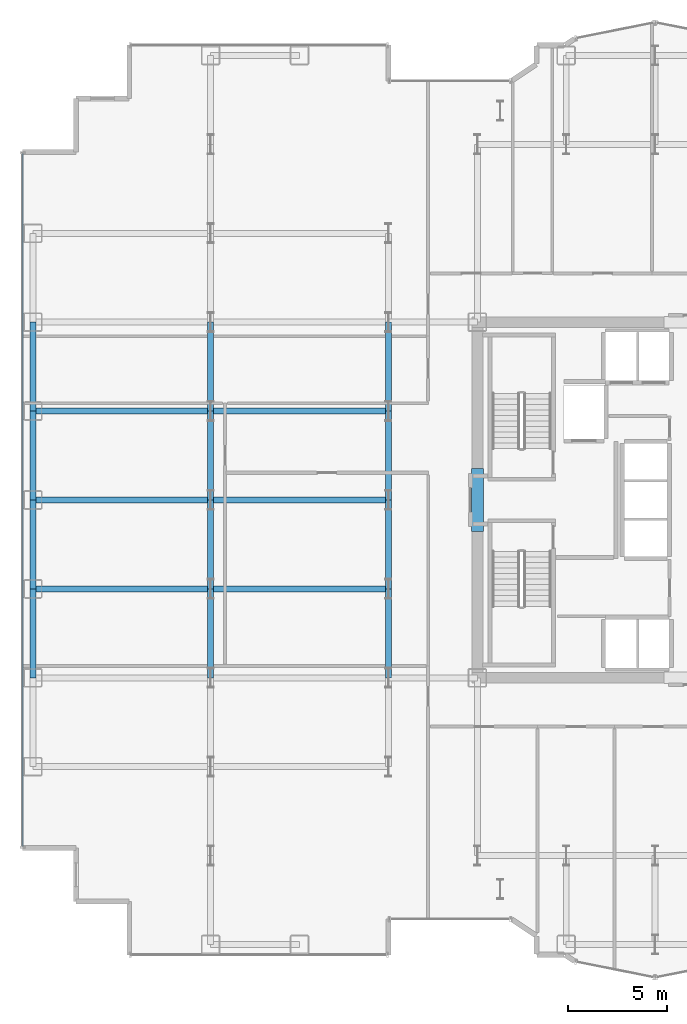
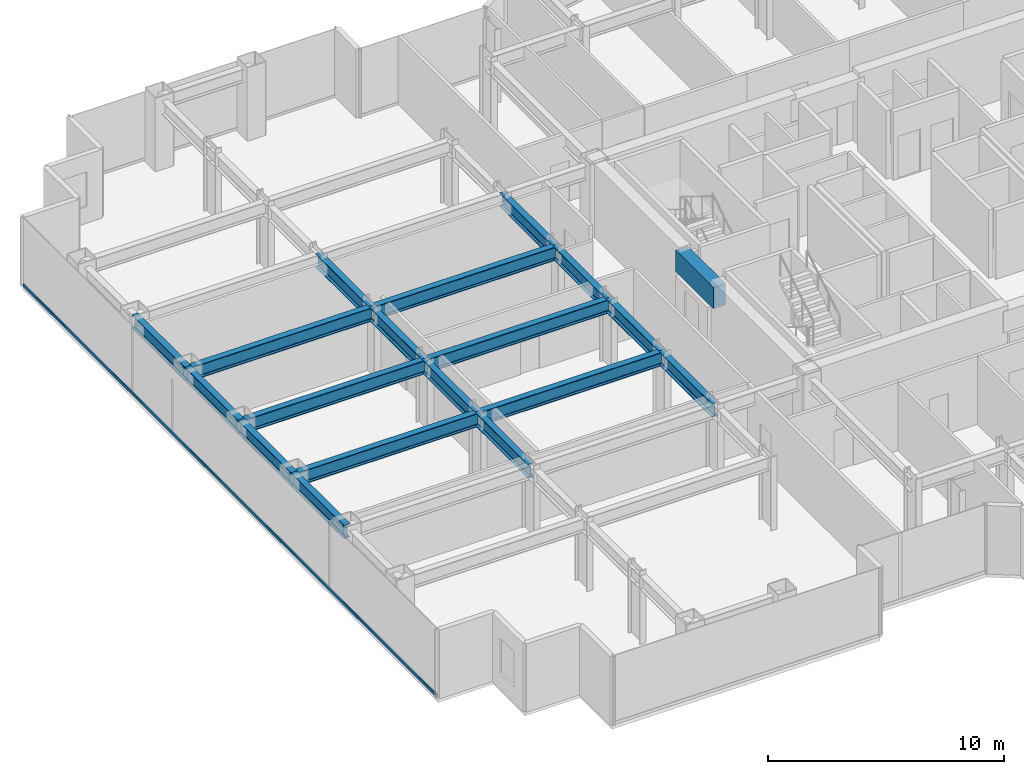
# One storey, part 5 of 25: 19 beams, 1 member, 1 element without a shape of its own.
"""IFC4 building model written with IfcOpenShell, lengths in metres."""

from ifc_helpers import new_model, si_unit, direction, frame, origin, origin_2d, place, context, subcontext, project, spatial, rectangle, hollow_rectangle, i_section, extrude, source, transform, mapped, material, layer, layer_set, material_profile, profile_set, type_object, element, aggregate, save


model = new_model("IFC4")

# Units and contexts
model_context = context("Model", 3, precision=1e-05, world=origin(), true_north=direction((0.0, 1.0)))
body_context = subcontext(model_context, "Body", "Model", "MODEL_VIEW")
ifc_project = project(units=[si_unit("LENGTHUNIT", "METRE"), si_unit("AREAUNIT", "SQUARE_METRE"), si_unit("VOLUMEUNIT", "CUBIC_METRE"), si_unit("PLANEANGLEUNIT", "RADIAN"), si_unit("MASSUNIT", "GRAM", prefix="KILO")], contexts=[model_context])

# Site, building, storey
site_placement = place(None, origin())
site = spatial("IfcSite", under=ifc_project, at=site_placement, CompositionType="ELEMENT")
building_placement = place(site_placement, origin())
building = spatial("IfcBuilding", under=site, at=building_placement, Name="Nefas-Gora Pilgrimage Tower", CompositionType="ELEMENT")
storey_placement = place(building_placement, frame((0.0, 0.0, 98.39990234375)))
storey = spatial("IfcBuildingStorey", under=building, at=storey_placement, Name="L23", CompositionType="ELEMENT", Elevation=98.39990234375)

# Beams
ifc_material_1 = material(Name="Concrete C60/75", Category="concrete")
ifc_material_profile_1 = material_profile(ifc_material_1, rectangle(XDim=0.60009765625, YDim=1.10009765625, at=origin_2d()), Name="RC 600x1100")
ifc_profile_set_1 = profile_set([ifc_material_profile_1], Name="Concrete C60/75")
beam_type_1 = type_object("IfcBeamType", Name="BM-LIN-RC1100", PredefinedType="LINTEL", material=ifc_profile_set_1)
shared_shape_1 = source(origin(), body_context, "Body", "SweptSolid", [
    extrude(rectangle(XDim=0.60009765625, YDim=1.10009765625, at=origin_2d()), origin(), (0.0, 0.0, 1.0), 3.2001953125),
])
beam_placement = place(storey_placement, frame((-11.25, -1.60009765625, 3.0), z_axis=(0.0, 1.0, 0.0), x_axis=(-1.0, 0.0, 0.0)))
element("IfcBeam", 1, at=beam_placement, inside=storey, type_object=beam_type_1, Name="L23 Core Coupling Lintel Beam W", PredefinedType="LINTEL", context=body_context, shape_type="MappedRepresentation", body=[
    mapped(shared_shape_1, transform((0.0, 0.0, 0.0), x_axis=(1.0, 0.0, 0.0), y_axis=(0.0, 1.0, 0.0), z_axis=(0.0, 0.0, 1.0), scale=1.0)),
])
ifc_material_2 = material(Name="Steel S355", Category="steel")
ifc_material_profile_2 = material_profile(ifc_material_2, i_section(OverallWidth=0.300048828125, OverallDepth=0.699951171875, WebThickness=0.01708984375, FlangeThickness=0.031982421875, FilletRadius=0.027099609375, at=origin_2d()), Name="HEB 700")
ifc_profile_set_2 = profile_set([ifc_material_profile_2], Name="Steel S355")
beam_type_2 = type_object("IfcBeamType", Name="BM-SPN-HEB600", PredefinedType="SPANDREL", material=ifc_profile_set_2)
shared_shape_2 = source(origin(), body_context, "Body", "SweptSolid", [
    extrude(i_section(OverallWidth=0.300048828125, OverallDepth=0.699951171875, WebThickness=0.01708984375, FlangeThickness=0.031982421875, FilletRadius=0.027099609375, at=origin_2d()), origin(), (0.0, 0.0, 1.0), 4.5),
])
for number, where, z_axis, x_axis, name in (
    (2, (-33.75, -9.0, 3.2001953125), (0.0, 1.0, 0.0), (-1.0, 0.0, 0.0), "L23 SP-01 beam"),
    (3, (-33.75, -4.5, 3.2001953125), (0.0, 1.0, 0.0), (-1.0, 0.0, 0.0), "L23 SP-01 beam"),
    (4, (-33.75, 0.0, 3.2001953125), (0.0, 1.0, 0.0), (-1.0, 0.0, 0.0), "L23 SP-01 beam"),
    (5, (-33.75, 4.5, 3.2001953125), (0.0, 1.0, 0.0), (-1.0, 0.0, 0.0), "L23 SP-01 beam"),
):
    element("IfcBeam", number, at=place(storey_placement, frame(where, z_axis=z_axis, x_axis=x_axis)), inside=storey, type_object=beam_type_2, Name=name, PredefinedType="SPANDREL", context=body_context, shape_type="MappedRepresentation", body=[
        mapped(shared_shape_2, transform((0.0, 0.0, 0.0), x_axis=(1.0, 0.0, 0.0), y_axis=(0.0, 1.0, 0.0), z_axis=(0.0, 0.0, 1.0), scale=1.0)),
    ])
ifc_material_profile_3 = material_profile(ifc_material_2, i_section(OverallWidth=0.300048828125, OverallDepth=0.699951171875, WebThickness=0.01708984375, FlangeThickness=0.031982421875, FilletRadius=0.027099609375, at=origin_2d()), Name="HEB 700")
ifc_profile_set_3 = profile_set([ifc_material_profile_3], Name="Steel S355")
beam_type_3 = type_object("IfcBeamType", Name="BM-GIR-HEB700", PredefinedType="BEAM", material=ifc_profile_set_3)
shared_shape_3 = source(origin(), body_context, "Body", "SweptSolid", [
    extrude(i_section(OverallWidth=0.300048828125, OverallDepth=0.699951171875, WebThickness=0.01708984375, FlangeThickness=0.031982421875, FilletRadius=0.027099609375, at=origin_2d()), origin(), (0.0, 0.0, 1.0), 9.0),
])
for number, where, z_axis, x_axis, name in (
    (6, (-33.75, -4.5, 3.2001953125), (1.0, 0.0, 0.0), (0.0, 1.0, 0.0), "L23 G-02 beam"),
    (7, (-33.75, 0.0, 3.2001953125), (1.0, 0.0, 0.0), (0.0, 1.0, 0.0), "L23 G-02 beam"),
    (8, (-33.75, 4.5, 3.2001953125), (1.0, 0.0, 0.0), (0.0, 1.0, 0.0), "L23 G-02 beam"),
    (9, (-24.75, -4.5, 3.2001953125), (1.0, 0.0, 0.0), (0.0, 1.0, 0.0), "L23 G-02 beam"),
    (10, (-24.75, 0.0, 3.2001953125), (1.0, 0.0, 0.0), (0.0, 1.0, 0.0), "L23 G-02 beam"),
    (11, (-24.75, 4.5, 3.2001953125), (1.0, 0.0, 0.0), (0.0, 1.0, 0.0), "L23 G-02 beam"),
):
    element("IfcBeam", number, at=place(storey_placement, frame(where, z_axis=z_axis, x_axis=x_axis)), inside=storey, type_object=beam_type_3, Name=name, PredefinedType="BEAM", context=body_context, shape_type="MappedRepresentation", body=[
        mapped(shared_shape_3, transform((0.0, 0.0, 0.0), x_axis=(1.0, 0.0, 0.0), y_axis=(0.0, 1.0, 0.0), z_axis=(0.0, 0.0, 1.0), scale=1.0)),
    ])
shared_shape_4 = source(origin(), body_context, "Body", "SweptSolid", [
    extrude(i_section(OverallWidth=0.300048828125, OverallDepth=0.699951171875, WebThickness=0.01708984375, FlangeThickness=0.031982421875, FilletRadius=0.027099609375, at=origin_2d()), origin(), (0.0, 0.0, 1.0), 4.5),
])
for number, where, z_axis, x_axis, name in (
    (12, (-24.75, -9.0, 3.2001953125), (0.0, 1.0, 0.0), (-1.0, 0.0, 0.0), "L23 G-02 beam"),
    (13, (-24.75, -4.5, 3.2001953125), (0.0, 1.0, 0.0), (-1.0, 0.0, 0.0), "L23 G-02 beam"),
    (14, (-24.75, 0.0, 3.2001953125), (0.0, 1.0, 0.0), (-1.0, 0.0, 0.0), "L23 G-02 beam"),
    (15, (-24.75, 4.5, 3.2001953125), (0.0, 1.0, 0.0), (-1.0, 0.0, 0.0), "L23 G-02 beam"),
    (16, (-15.75, -9.0, 3.2001953125), (0.0, 1.0, 0.0), (-1.0, 0.0, 0.0), "L23 G-02 beam"),
    (17, (-15.75, -4.5, 3.2001953125), (0.0, 1.0, 0.0), (-1.0, 0.0, 0.0), "L23 G-02 beam"),
    (18, (-15.75, 0.0, 3.2001953125), (0.0, 1.0, 0.0), (-1.0, 0.0, 0.0), "L23 G-02 beam"),
    (19, (-15.75, 4.5, 3.2001953125), (0.0, 1.0, 0.0), (-1.0, 0.0, 0.0), "L23 G-02 beam"),
):
    element("IfcBeam", number, at=place(storey_placement, frame(where, z_axis=z_axis, x_axis=x_axis)), inside=storey, type_object=beam_type_3, Name=name, PredefinedType="BEAM", context=body_context, shape_type="MappedRepresentation", body=[
        mapped(shared_shape_4, transform((0.0, 0.0, 0.0), x_axis=(1.0, 0.0, 0.0), y_axis=(0.0, 1.0, 0.0), z_axis=(0.0, 0.0, 1.0), scale=1.0)),
    ])

# Curtain wall, member
ifc_material_3 = material(Name="Dark ceramic-fritted solar-control aluminium-glass curtain wall", Category="aluminium")
ifc_layer = layer(ifc_material_3, 0.219970703125)
ifc_layer_set = layer_set([ifc_layer], Name="Dark ceramic-fritted solar-control aluminium-glass curtain wall")
curtain_wall_type = type_object("IfcCurtainWallType", Name="CW-SYS-2", PredefinedType="NOTDEFINED", material=ifc_layer_set)
curtain_wall_placement = place(storey_placement, origin())
curtain_wall = element("IfcCurtainWall", 20, at=curtain_wall_placement, inside=storey, type_object=curtain_wall_type, Name="L23 Unitised Curtain Wall CW2", PredefinedType="NOTDEFINED")
ifc_material_4 = material(Name="Anodised architectural aluminium", Category="aluminium")
ifc_material_profile_4 = material_profile(ifc_material_4, hollow_rectangle(XDim=0.080078125, YDim=0.159912109375, WallThickness=0.00439453125, InnerFilletRadius=0.00439453125, OuterFilletRadius=0.009033203125, at=origin_2d()), Name="ALU TRANSOM 80x160")
ifc_profile_set_4 = profile_set([ifc_material_profile_4], Name="Anodised architectural aluminium")
member_type = type_object("IfcMemberType", Name="CWM-TRN-2", PredefinedType="USERDEFINED", material=ifc_profile_set_4)
shared_shape_5 = source(origin(), body_context, "Body", "SweptSolid", [
    extrude(hollow_rectangle(XDim=0.080078125, YDim=0.159912109375, WallThickness=0.00439453125, InnerFilletRadius=0.00439453125, OuterFilletRadius=0.009033203125, at=origin_2d()), origin(), (0.0, 0.0, 1.0), 35.06005859375),
])
member_placement = place(storey_placement, frame((-34.27001953125, 17.530029296875, 0.050048828125), z_axis=(0.0, -1.0, 0.0), x_axis=(1.0, 0.0, 0.0)))
member = element("IfcMember", 21, at=member_placement, type_object=member_type, Name="CW2 Spandrel Transom", ObjectType="TRANSOM", PredefinedType="USERDEFINED", context=body_context, shape_type="MappedRepresentation", body=[
    mapped(shared_shape_5, transform((0.0, 0.0, 0.0), x_axis=(1.0, 0.0, 0.0), y_axis=(0.0, 1.0, 0.0), z_axis=(0.0, 0.0, 1.0), scale=1.0)),
])
aggregate(curtain_wall, [member])

save(model, "model.ifc")
